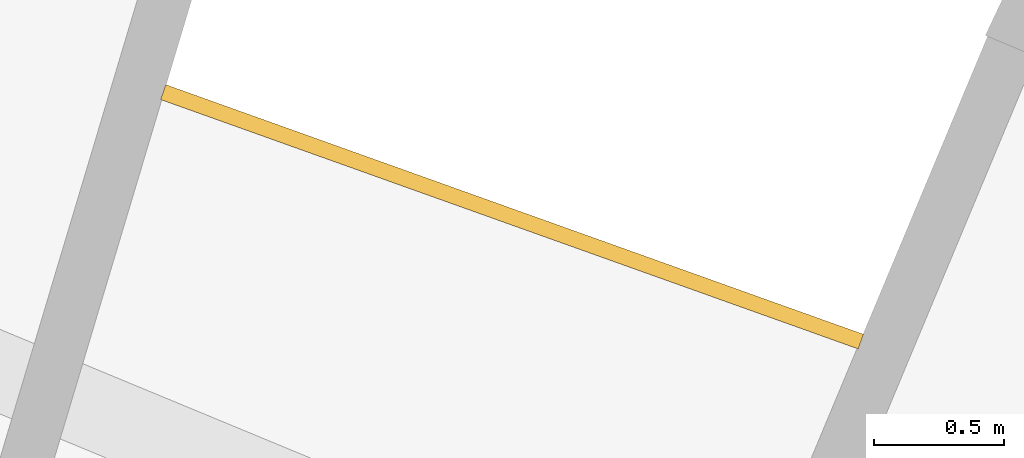
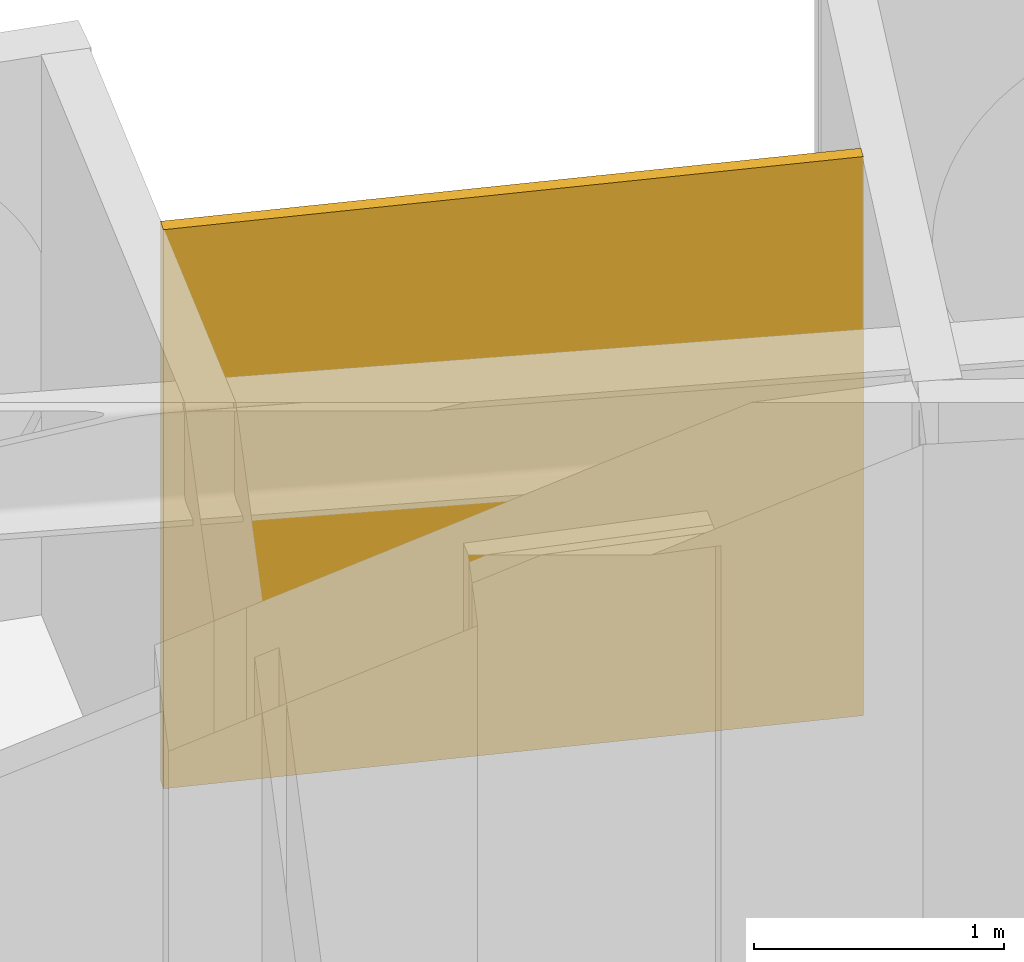
# One storey, part 26 of 26: 1 railing.
"""IFC4 building model written with IfcOpenShell, lengths in metres."""

from ifc_helpers import new_model, si_unit, direction, frame, origin, place, context, subcontext, project, spatial, polyline, outline, extrude, material, layer, layer_set, type_object, element, save


model = new_model("IFC4")

# Units and contexts
model_context = context("Model", 3, precision=1e-05, world=origin(), true_north=direction((0.0, 1.0)))
body_context = subcontext(model_context, "Body", "Model", "MODEL_VIEW")
ifc_project = project(units=[si_unit("LENGTHUNIT", "METRE"), si_unit("AREAUNIT", "SQUARE_METRE"), si_unit("VOLUMEUNIT", "CUBIC_METRE"), si_unit("PLANEANGLEUNIT", "RADIAN"), si_unit("MASSUNIT", "GRAM", prefix="KILO")], contexts=[model_context])

# Site, building, storey
site_placement = place(None, origin())
site = spatial("IfcSite", under=ifc_project, at=site_placement, CompositionType="ELEMENT")
building_placement = place(site_placement, origin())
building = spatial("IfcBuilding", under=site, at=building_placement, Name="Maasbend Ring Residences", CompositionType="ELEMENT")
storey_placement = place(building_placement, frame((0.0, 0.0, 88.0)))
storey = spatial("IfcBuildingStorey", under=building, at=storey_placement, Name="L25", CompositionType="ELEMENT", Elevation=88.0)

# Railing
ifc_material = material(Name="Pale anodised perforated aluminium", Category="aluminium")
ifc_layer = layer(ifc_material, 0.06005859375)
ifc_layer_set = layer_set([ifc_layer], Name="SCREEN-P")
railing_type = type_object("IfcRailingType", Name="SCREEN-P", PredefinedType="GUARDRAIL", material=ifc_layer_set)
railing_placement = place(storey_placement, frame((0.0, 0.0, -0.030029296875)))
element("IfcRailing", 1, at=railing_placement, inside=storey, type_object=railing_type, Name="Perforated screen guard 4", PredefinedType="GUARDRAIL", context=body_context, shape_type="SweptSolid", body=[
    extrude(outline(polyline([(11.097900390625, 26.79296875), (8.41796875, 27.7509765625), (8.43798828125, 27.80810546875), (11.117919921875, 26.84912109375), (11.097900390625, 26.79296875)])), origin(), (0.0, 0.0, 1.0), 2.72998046875),
])

save(model, "model.ifc")
